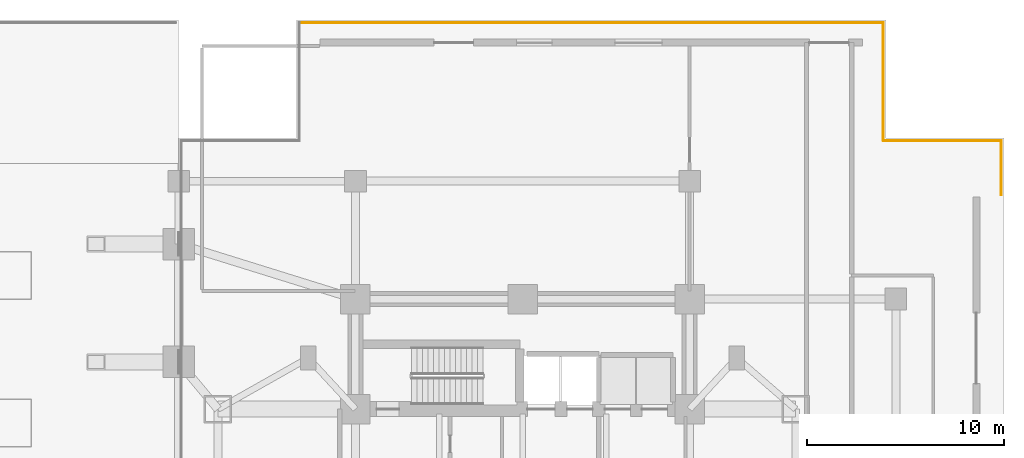
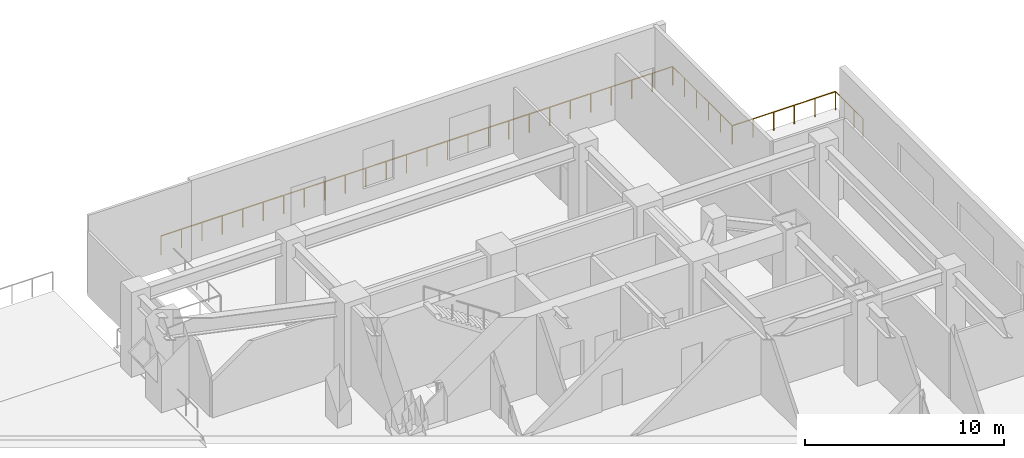
# One storey, part 26 of 27: 4 railings.
"""IFC4 building model written with IfcOpenShell, lengths in metres."""

from ifc_helpers import new_model, si_unit, direction, frame, origin, origin_2d, place, context, subcontext, project, spatial, circle, extrude, material, type_object, element, save


model = new_model("IFC4")

# Units and contexts
model_context = context("Model", 3, precision=1e-05, world=origin(), true_north=direction((0.0, 1.0)))
body_context = subcontext(model_context, "Body", "Model", "MODEL_VIEW")
ifc_project = project(units=[si_unit("LENGTHUNIT", "METRE"), si_unit("AREAUNIT", "SQUARE_METRE"), si_unit("VOLUMEUNIT", "CUBIC_METRE"), si_unit("PLANEANGLEUNIT", "RADIAN"), si_unit("MASSUNIT", "GRAM", prefix="KILO")], contexts=[model_context])

# Site, building, storey
site_placement = place(None, origin())
site = spatial("IfcSite", under=ifc_project, at=site_placement, CompositionType="ELEMENT")
building_placement = place(site_placement, origin())
building = spatial("IfcBuilding", under=site, at=building_placement, Name="Mirazonda Arch Towers", CompositionType="ELEMENT")
storey_placement = place(building_placement, origin())
storey = spatial("IfcBuildingStorey", under=building, at=storey_placement, Name="L00", CompositionType="ELEMENT", Elevation=0.0)

# Railings
ifc_material = material(Name="Architectural Brushed Steel S355", Category="steel")
railing_type = type_object("IfcRailingType", Name="GUARD-EXT-1150", PredefinedType="GUARDRAIL", material=ifc_material)
railing_1_placement = place(storey_placement, frame((100.860107421875, 46.10009765625, 0.0)))
element("IfcRailing", 1, at=railing_1_placement, inside=storey, type_object=railing_type, Name="L00 L00 Podium Edge Guard 10 01", PredefinedType="GUARDRAIL", context=body_context, shape_type="SweptSolid", body=[
    extrude(circle(Radius=0.02392578125, at=origin_2d()), frame((0.0, 0.0, 1.1259765625), z_axis=(0.0, 1.0, 0.0), x_axis=(-1.0, 0.0, 0.0)), (0.0, 0.0, 1.0), 2.760009765625),
    extrude(circle(Radius=0.02099609375, at=origin_2d()), origin(), (0.0, 0.0, 1.0), 1.101806640625),
    extrude(circle(Radius=0.02099609375, at=origin_2d()), frame((0.0, 0.919921875, 0.0)), (0.0, 0.0, 1.0), 1.101806640625),
    extrude(circle(Radius=0.02099609375, at=origin_2d()), frame((0.0, 1.840087890625, 0.0)), (0.0, 0.0, 1.0), 1.101806640625),
    extrude(circle(Radius=0.02099609375, at=origin_2d()), frame((0.0, 2.760009765625, 0.0)), (0.0, 0.0, 1.0), 1.101806640625),
])
railing_2_placement = place(storey_placement, frame((100.860107421875, 48.860107421875, 0.0)))
element("IfcRailing", 2, at=railing_2_placement, inside=storey, type_object=railing_type, Name="L00 L00 Podium Edge Guard 10 02", PredefinedType="GUARDRAIL", context=body_context, shape_type="SweptSolid", body=[
    extrude(circle(Radius=0.02392578125, at=origin_2d()), frame((0.0, 0.0, 1.1259765625), z_axis=(-1.0, 0.0, 0.0), x_axis=(0.0, -1.0, 0.0)), (0.0, 0.0, 1.0), 6.0),
    extrude(circle(Radius=0.02099609375, at=origin_2d()), origin(), (0.0, 0.0, 1.0), 1.101806640625),
    extrude(circle(Radius=0.02099609375, at=origin_2d()), frame((-1.199951171875, 0.0, 0.0)), (0.0, 0.0, 1.0), 1.101806640625),
    extrude(circle(Radius=0.02099609375, at=origin_2d()), frame((-2.39990234375, 0.0, 0.0)), (0.0, 0.0, 1.0), 1.101806640625),
    extrude(circle(Radius=0.02099609375, at=origin_2d()), frame((-3.60009765625, 0.0, 0.0)), (0.0, 0.0, 1.0), 1.101806640625),
    extrude(circle(Radius=0.02099609375, at=origin_2d()), frame((-4.800048828125, 0.0, 0.0)), (0.0, 0.0, 1.0), 1.101806640625),
    extrude(circle(Radius=0.02099609375, at=origin_2d()), frame((-6.0, 0.0, 0.0)), (0.0, 0.0, 1.0), 1.101806640625),
])
railing_3_placement = place(storey_placement, frame((94.860107421875, 48.860107421875, 0.0)))
element("IfcRailing", 3, at=railing_3_placement, inside=storey, type_object=railing_type, Name="L00 L00 Podium Edge Guard 10 03", PredefinedType="GUARDRAIL", context=body_context, shape_type="SweptSolid", body=[
    extrude(circle(Radius=0.02392578125, at=origin_2d()), frame((0.0, 0.0, 1.1259765625), z_axis=(0.0, 1.0, 0.0), x_axis=(-1.0, 0.0, 0.0)), (0.0, 0.0, 1.0), 6.0),
    extrude(circle(Radius=0.02099609375, at=origin_2d()), origin(), (0.0, 0.0, 1.0), 1.101806640625),
    extrude(circle(Radius=0.02099609375, at=origin_2d()), frame((0.0, 1.199951171875, 0.0)), (0.0, 0.0, 1.0), 1.101806640625),
    extrude(circle(Radius=0.02099609375, at=origin_2d()), frame((0.0, 2.39990234375, 0.0)), (0.0, 0.0, 1.0), 1.101806640625),
    extrude(circle(Radius=0.02099609375, at=origin_2d()), frame((0.0, 3.60009765625, 0.0)), (0.0, 0.0, 1.0), 1.101806640625),
    extrude(circle(Radius=0.02099609375, at=origin_2d()), frame((0.0, 4.800048828125, 0.0)), (0.0, 0.0, 1.0), 1.101806640625),
    extrude(circle(Radius=0.02099609375, at=origin_2d()), frame((0.0, 6.0, 0.0)), (0.0, 0.0, 1.0), 1.101806640625),
])
railing_4_placement = place(storey_placement, frame((94.860107421875, 54.860107421875, 0.0)))
element("IfcRailing", 4, at=railing_4_placement, inside=storey, type_object=railing_type, Name="L00 L00 Podium Edge Guard 10 04", PredefinedType="GUARDRAIL", context=body_context, shape_type="SweptSolid", body=[
    extrude(circle(Radius=0.02392578125, at=origin_2d()), frame((0.0, 0.0, 1.1259765625), z_axis=(-1.0, 0.0, 0.0), x_axis=(0.0, -1.0, 0.0)), (0.0, 0.0, 1.0), 29.72021484375),
    extrude(circle(Radius=0.02099609375, at=origin_2d()), origin(), (0.0, 0.0, 1.0), 1.101806640625),
    extrude(circle(Radius=0.02099609375, at=origin_2d()), frame((-1.188720703125, 0.0, 0.0)), (0.0, 0.0, 1.0), 1.101806640625),
    extrude(circle(Radius=0.02099609375, at=origin_2d()), frame((-2.377685546875, 0.0, 0.0)), (0.0, 0.0, 1.0), 1.101806640625),
    extrude(circle(Radius=0.02099609375, at=origin_2d()), frame((-3.56640625, 0.0, 0.0)), (0.0, 0.0, 1.0), 1.101806640625),
    extrude(circle(Radius=0.02099609375, at=origin_2d()), frame((-4.755126953125, 0.0, 0.0)), (0.0, 0.0, 1.0), 1.101806640625),
    extrude(circle(Radius=0.02099609375, at=origin_2d()), frame((-5.944091796875, 0.0, 0.0)), (0.0, 0.0, 1.0), 1.101806640625),
    extrude(circle(Radius=0.02099609375, at=origin_2d()), frame((-7.1328125, 0.0, 0.0)), (0.0, 0.0, 1.0), 1.101806640625),
    extrude(circle(Radius=0.02099609375, at=origin_2d()), frame((-8.32177734375, 0.0, 0.0)), (0.0, 0.0, 1.0), 1.101806640625),
    extrude(circle(Radius=0.02099609375, at=origin_2d()), frame((-9.510498046875, 0.0, 0.0)), (0.0, 0.0, 1.0), 1.101806640625),
    extrude(circle(Radius=0.02099609375, at=origin_2d()), frame((-10.69921875, 0.0, 0.0)), (0.0, 0.0, 1.0), 1.101806640625),
    extrude(circle(Radius=0.02099609375, at=origin_2d()), frame((-11.88818359375, 0.0, 0.0)), (0.0, 0.0, 1.0), 1.101806640625),
    extrude(circle(Radius=0.02099609375, at=origin_2d()), frame((-13.076904296875, 0.0, 0.0)), (0.0, 0.0, 1.0), 1.101806640625),
    extrude(circle(Radius=0.02099609375, at=origin_2d()), frame((-14.265625, 0.0, 0.0)), (0.0, 0.0, 1.0), 1.101806640625),
    extrude(circle(Radius=0.02099609375, at=origin_2d()), frame((-15.45458984375, 0.0, 0.0)), (0.0, 0.0, 1.0), 1.101806640625),
    extrude(circle(Radius=0.02099609375, at=origin_2d()), frame((-16.643310546875, 0.0, 0.0)), (0.0, 0.0, 1.0), 1.101806640625),
    extrude(circle(Radius=0.02099609375, at=origin_2d()), frame((-17.83203125, 0.0, 0.0)), (0.0, 0.0, 1.0), 1.101806640625),
    extrude(circle(Radius=0.02099609375, at=origin_2d()), frame((-19.02099609375, 0.0, 0.0)), (0.0, 0.0, 1.0), 1.101806640625),
    extrude(circle(Radius=0.02099609375, at=origin_2d()), frame((-20.209716796875, 0.0, 0.0)), (0.0, 0.0, 1.0), 1.101806640625),
    extrude(circle(Radius=0.02099609375, at=origin_2d()), frame((-21.3984375, 0.0, 0.0)), (0.0, 0.0, 1.0), 1.101806640625),
    extrude(circle(Radius=0.02099609375, at=origin_2d()), frame((-22.58740234375, 0.0, 0.0)), (0.0, 0.0, 1.0), 1.101806640625),
    extrude(circle(Radius=0.02099609375, at=origin_2d()), frame((-23.776123046875, 0.0, 0.0)), (0.0, 0.0, 1.0), 1.101806640625),
    extrude(circle(Radius=0.02099609375, at=origin_2d()), frame((-24.965087890625, 0.0, 0.0)), (0.0, 0.0, 1.0), 1.101806640625),
    extrude(circle(Radius=0.02099609375, at=origin_2d()), frame((-26.15380859375, 0.0, 0.0)), (0.0, 0.0, 1.0), 1.101806640625),
    extrude(circle(Radius=0.02099609375, at=origin_2d()), frame((-27.342529296875, 0.0, 0.0)), (0.0, 0.0, 1.0), 1.101806640625),
    extrude(circle(Radius=0.02099609375, at=origin_2d()), frame((-28.531494140625, 0.0, 0.0)), (0.0, 0.0, 1.0), 1.101806640625),
    extrude(circle(Radius=0.02099609375, at=origin_2d()), frame((-29.72021484375, 0.0, 0.0)), (0.0, 0.0, 1.0), 1.101806640625),
])

save(model, "model.ifc")
